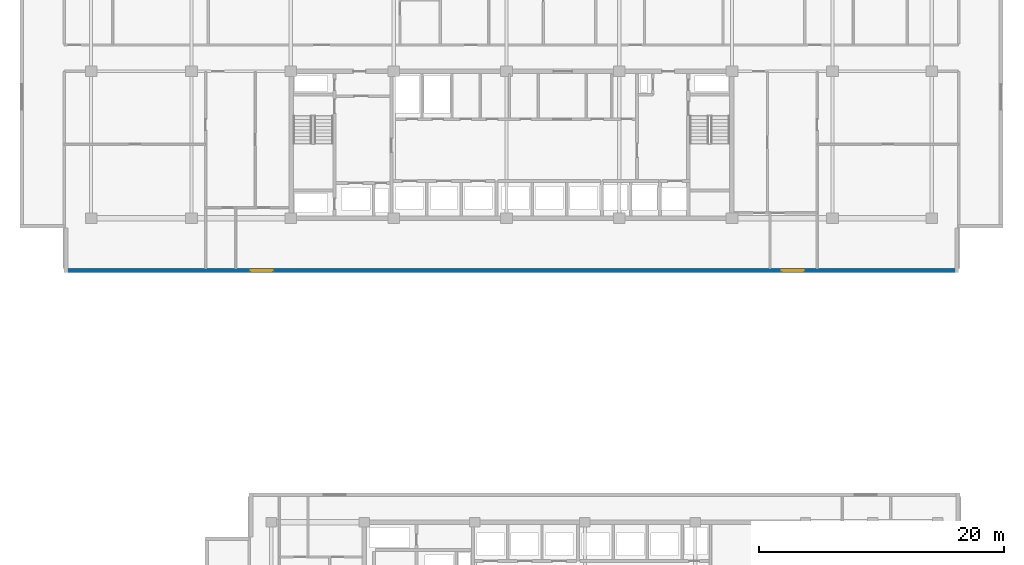
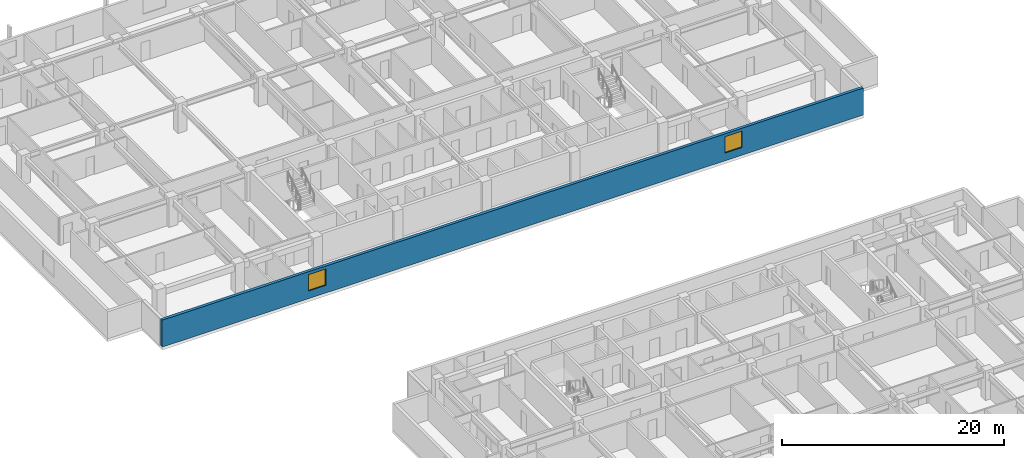
# One storey, part 9 of 22: 2 windows, 1 wall, 2 openings.
"""IFC4 building model written with IfcOpenShell, lengths in metres."""

from ifc_helpers import new_model, si_unit, direction, frame, frame_2d, origin, place, context, subcontext, project, spatial, rectangle, extrude, material, layer, layer_set, type_object, element, fill, save


model = new_model("IFC4")

# Units and contexts
model_context = context("Model", 3, precision=1e-05, world=origin(), true_north=direction((0.0, 1.0)))
body_context = subcontext(model_context, "Body", "Model", "MODEL_VIEW")
ifc_project = project(units=[si_unit("LENGTHUNIT", "METRE"), si_unit("AREAUNIT", "SQUARE_METRE"), si_unit("VOLUMEUNIT", "CUBIC_METRE"), si_unit("PLANEANGLEUNIT", "RADIAN"), si_unit("MASSUNIT", "GRAM", prefix="KILO")], contexts=[model_context])

# Site, building, storey
site_placement = place(None, origin())
site = spatial("IfcSite", under=ifc_project, at=site_placement, CompositionType="ELEMENT")
building_placement = place(site_placement, origin())
building = spatial("IfcBuilding", under=site, at=building_placement, Name="Korimba Cascade Residences", CompositionType="ELEMENT")
storey_placement = place(building_placement, frame((0.0, 0.0, 80.800048828125)))
storey = spatial("IfcBuildingStorey", under=building, at=storey_placement, Name="L22", CompositionType="ELEMENT", Elevation=80.800048828125)

# Wall, openings, windows
ifc_material_1 = material(Name="Precast concrete C40/50", Category="concrete")
ifc_layer = layer(ifc_material_1, 0.300048828125)
ifc_layer_set = layer_set([ifc_layer], Name="Precast concrete C40/50")
wall_type = type_object("IfcWallType", Name="EW-STONE-300", PredefinedType="STANDARD", material=ifc_layer_set)
wall_placement = place(storey_placement, frame((57.60009765625, 50.949951171875, 0.0), z_axis=(0.0, 0.0, 1.0), x_axis=(1.0, 0.0, 0.0)))
wall = element("IfcWall", 1, at=wall_placement, inside=storey, type_object=wall_type, Name="L22 T1 Perimeter Stone Wall E00", PredefinedType="STANDARD", context=body_context, shape_type="SweptSolid", body=[
    extrude(rectangle(XDim=73.0, YDim=0.300048828125, at=frame_2d((36.5, 0.0))), origin(), (0.0, 0.0, 1.0), 2.969970703125),
])
opening_1_placement = place(wall_placement, frame((15.22509765625, 0.0, 0.85009765625)))
opening_1 = element("IfcOpeningElement", 2, at=opening_1_placement, cuts=wall, Name="Opening W-02", PredefinedType="OPENING", context=body_context, shape_type="SweptSolid", body=[
    extrude(rectangle(XDim=1.800048828125, YDim=1.800048828125, at=frame_2d((0.89990234375, 0.89990234375))), frame((0.0, 0.16015625, 0.0), z_axis=(0.0, -1.0, 0.0), x_axis=(1.0, 0.0, 0.0)), (0.0, 0.0, 1.0), 0.320068359375),
])
opening_2_placement = place(wall_placement, frame((58.574951171875, 0.0, 0.85009765625)))
opening_2 = element("IfcOpeningElement", 3, at=opening_2_placement, cuts=wall, Name="Opening W-02", PredefinedType="OPENING", context=body_context, shape_type="SweptSolid", body=[
    extrude(rectangle(XDim=1.800048828125, YDim=1.800048828125, at=frame_2d((0.89990234375, 0.89990234375))), frame((0.0, 0.16015625, 0.0), z_axis=(0.0, -1.0, 0.0), x_axis=(1.0, 0.0, 0.0)), (0.0, 0.0, 1.0), 0.320068359375),
])
ifc_material_2 = material(Name="Double-Glazed Aluminium Window", Category="aluminium")
window_type = type_object("IfcWindowType", Name="WIN-BED-1800", PartitioningType="SINGLE_PANEL", PredefinedType="WINDOW", material=ifc_material_2)
window_1_placement = place(opening_1_placement, origin())
window_1 = element("IfcWindow", 4, at=window_1_placement, inside=storey, type_object=window_type, Name="L22 T1 South Corner Bedroom Window 1", OverallHeight=1.800048828125, OverallWidth=1.800048828125, PartitioningType="SINGLE_PANEL", PredefinedType="WINDOW", context=body_context, shape_type="SweptSolid", body=[
    extrude(rectangle(XDim=1.800048828125, YDim=1.800048828125, at=frame_2d((0.89990234375, 0.89990234375))), frame((0.0, 0.030029296875, 0.0), z_axis=(0.0, -1.0, 0.0), x_axis=(1.0, 0.0, 0.0)), (0.0, 0.0, 1.0), 0.06005859375),
])
fill(opening_1, window_1)
window_2_placement = place(opening_2_placement, origin())
window_2 = element("IfcWindow", 5, at=window_2_placement, inside=storey, type_object=window_type, Name="L22 T1 South Corner Bedroom Window 2", OverallHeight=1.800048828125, OverallWidth=1.800048828125, PartitioningType="SINGLE_PANEL", PredefinedType="WINDOW", context=body_context, shape_type="SweptSolid", body=[
    extrude(rectangle(XDim=1.800048828125, YDim=1.800048828125, at=frame_2d((0.89990234375, 0.89990234375))), frame((0.0, 0.030029296875, 0.0), z_axis=(0.0, -1.0, 0.0), x_axis=(1.0, 0.0, 0.0)), (0.0, 0.0, 1.0), 0.06005859375),
])
fill(opening_2, window_2)

save(model, "model.ifc")
